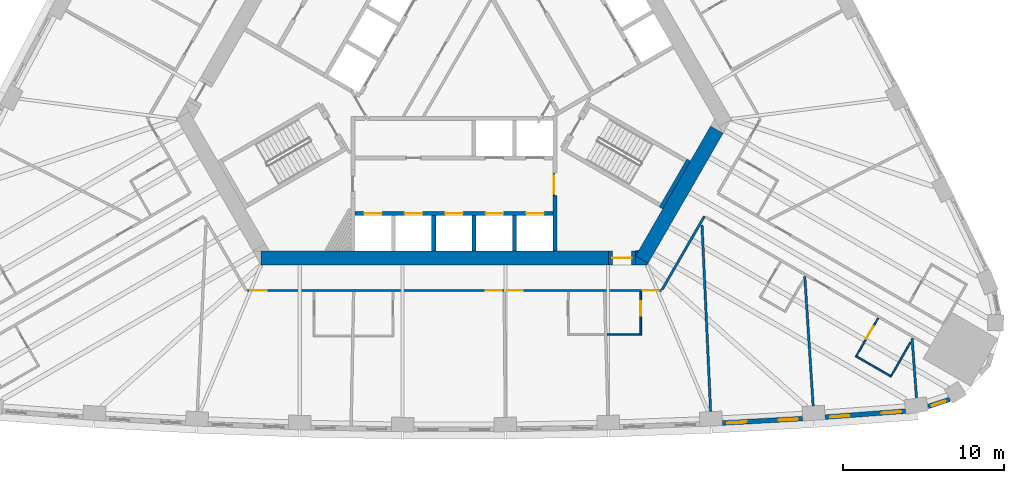
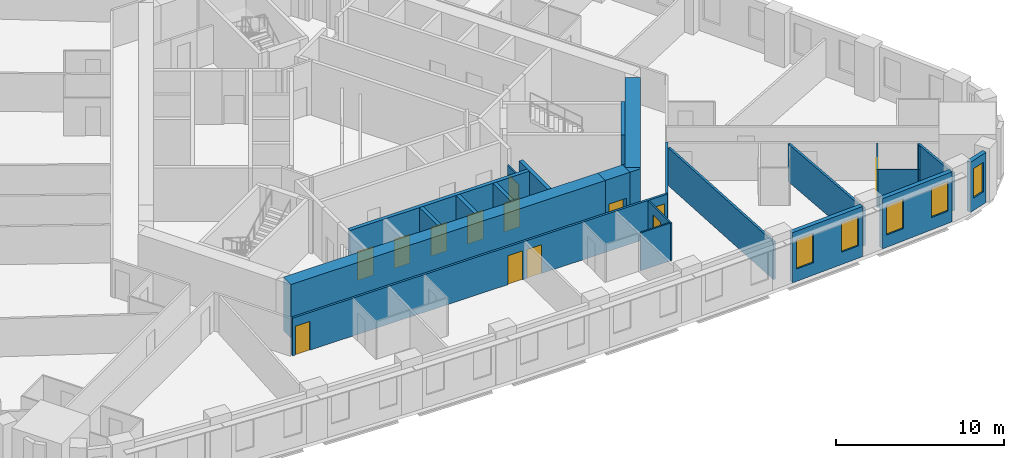
# One storey, part 6 of 12: 25 walls, 13 doors, 5 windows, 18 openings.
"""IFC4 building model written with IfcOpenShell, lengths in metres."""

from ifc_helpers import new_model, si_unit, direction, frame, frame_2d, origin, place, context, subcontext, project, spatial, polyline, rectangle, outline, extrude, material, layer, layer_set, type_object, element, fill, save


model = new_model("IFC4")

# Units and contexts
model_context = context("Model", 3, precision=1e-05, world=origin(), true_north=direction((0.0, 1.0)))
body_context = subcontext(model_context, "Body", "Model", "MODEL_VIEW")
ifc_project = project(units=[si_unit("LENGTHUNIT", "METRE"), si_unit("AREAUNIT", "SQUARE_METRE"), si_unit("VOLUMEUNIT", "CUBIC_METRE"), si_unit("PLANEANGLEUNIT", "RADIAN"), si_unit("MASSUNIT", "GRAM", prefix="KILO")], contexts=[model_context])

# Site, building, storey
site_placement = place(None, origin())
site = spatial("IfcSite", under=ifc_project, at=site_placement, CompositionType="ELEMENT")
building_placement = place(site_placement, origin())
building = spatial("IfcBuilding", under=site, at=building_placement, Name="Mestral Congress Tower", CompositionType="ELEMENT")
storey_placement = place(building_placement, frame((0.0, 0.0, 70.5)))
storey = spatial("IfcBuildingStorey", under=building, at=storey_placement, Name="L16", CompositionType="ELEMENT", Elevation=70.5)

# Wall, opening, door
ifc_material_1 = material(Name="Fire-rated board partition")
ifc_layer_1 = layer(ifc_material_1, 0.090087890625)
ifc_layer_set_1 = layer_set([ifc_layer_1], Name="Fire-rated board partition")
wall_type_1 = type_object("IfcWallType", Name="Core partition 150 door-wall 90", PredefinedType="PARTITIONING", material=ifc_layer_set_1)
wall_1_placement = place(storey_placement, frame((6.219970703125, -7.266357421875, 0.0), z_axis=(0.0, 0.0, 1.0), x_axis=(0.0, -1.0, 0.0)))
wall_1 = element("IfcWall", 1, at=wall_1_placement, inside=storey, type_object=wall_type_1, Name="L16 door wall", PredefinedType="PARTITIONING", context=body_context, shape_type="SweptSolid", body=[
    extrude(rectangle(XDim=1.400146484375, YDim=0.090087890625, at=frame_2d((0.7001953125, 0.0))), origin(), (0.0, 0.0, 1.0), 2.75),
])
opening_1_placement = place(wall_1_placement, frame((0.10009765625, 0.0, 0.0)))
opening_1 = element("IfcOpeningElement", 2, at=opening_1_placement, cuts=wall_1, Name="Opening LB0-WL1", PredefinedType="OPENING", context=body_context, shape_type="SweptSolid", body=[
    extrude(rectangle(XDim=1.199951171875, YDim=2.10009765625, at=frame_2d((0.60009765625, 1.050048828125))), frame((0.0, 0.054931640625, 0.0), z_axis=(0.0, -1.0, 0.0), x_axis=(1.0, 0.0, 0.0)), (0.0, 0.0, 1.0), 0.110107421875),
])
ifc_material_2 = material(Name="Fire-rated steel door set", Category="steel")
door_type_1 = type_object("IfcDoorType", Name="Core door LB 1200x2100", OperationType="SINGLE_SWING_LEFT", PredefinedType="DOOR", material=ifc_material_2)
door_1_placement = place(opening_1_placement, origin())
door_1 = element("IfcDoor", 3, at=door_1_placement, inside=storey, type_object=door_type_1, Name="Door LB0-WL1", OperationType="SINGLE_SWING_LEFT", OverallHeight=2.10009765625, OverallWidth=1.199951171875, PredefinedType="DOOR", context=body_context, shape_type="SweptSolid", body=[
    extrude(rectangle(XDim=1.199951171875, YDim=2.10009765625, at=frame_2d((0.60009765625, 1.050048828125))), frame((0.0, 0.02490234375, 0.0), z_axis=(0.0, -1.0, 0.0), x_axis=(1.0, 0.0, 0.0)), (0.0, 0.0, 1.0), 0.050048828125),
])
fill(opening_1, door_1)

# Walls
ifc_material_3 = material(Name="Concrete C60/75", Category="concrete")
ifc_layer_2 = layer(ifc_material_3, 0.89990234375)
ifc_layer_set_2 = layer_set([ifc_layer_2], Name="Concrete C60/75")
wall_type_2 = type_object("IfcWallType", Name="Core wall RC 900", PredefinedType="SOLIDWALL", material=ifc_layer_set_2)
wall_2_placement = place(storey_placement, frame((11.69482421875, -12.643798828125, 0.0), z_axis=(0.0, 0.0, 1.0), x_axis=(0.500010229568, 0.86601949766, 0.0)))
element("IfcWall", 4, at=wall_2_placement, inside=storey, type_object=wall_type_2, Name="L16 core wall", PredefinedType="SOLIDWALL", context=body_context, shape_type="SweptSolid", body=[
    extrude(rectangle(XDim=9.326416015625, YDim=0.89990234375, at=frame_2d((4.6630859375, 0.0))), origin(), (0.0, 0.0, 1.0), 3.89990234375),
])
placement = place(storey_placement, origin())
element("IfcWall", 5, at=placement, inside=storey, type_object=wall_type_2, Name="L16 core wall", PredefinedType="SOLIDWALL", context=body_context, shape_type="SweptSolid", body=[
    extrude(outline(polyline([(12.0087890625, -13.0), (11.31201171875, -13.0), (11.31201171875, -12.425048828125), (12.08349609375, -12.87060546875), (12.0087890625, -13.0)])), origin(), (0.0, 0.0, 1.0), 3.89990234375),
])
element("IfcWall", 6, at=placement, inside=storey, type_object=wall_type_2, Name="L16 core wall", PredefinedType="SOLIDWALL", context=body_context, shape_type="SweptSolid", body=[
    extrude(outline(polyline([(11.4892578125, -12.10009765625), (11.31201171875, -12.4072265625), (11.31201171875, -12.10009765625), (11.4892578125, -12.10009765625)])), origin(), (0.0, 0.0, 1.0), 3.89990234375),
])
wall_5_placement = place(storey_placement, frame((-12.0185546875, -12.550048828125, 0.0), z_axis=(0.0, 0.0, 1.0), x_axis=(1.0, 0.0, 0.0)))
element("IfcWall", 7, at=wall_5_placement, inside=storey, type_object=wall_type_2, Name="L16 core wall", PredefinedType="SOLIDWALL", context=body_context, shape_type="SweptSolid", body=[
    extrude(rectangle(XDim=21.63037109375, YDim=0.89990234375, at=frame_2d((10.815185546875, 0.0))), origin(), (0.0, 0.0, 1.0), 3.89990234375),
])

# Wall, opening, door
wall_6_placement = place(storey_placement, frame((11.311767578125, -12.550048828125, 0.0), z_axis=(0.0, 0.0, 1.0), x_axis=(-1.0, 0.0, 0.0)))
wall_6 = element("IfcWall", 8, at=wall_6_placement, inside=storey, type_object=wall_type_2, Name="L16 door wall", PredefinedType="SOLIDWALL", context=body_context, shape_type="SweptSolid", body=[
    extrude(rectangle(XDim=1.699951171875, YDim=0.89990234375, at=frame_2d((0.85009765625, 0.0))), origin(), (0.0, 0.0, 1.0), 3.89990234375),
])
opening_2_placement = place(wall_6_placement, frame((0.25, 0.0, 0.0)))
opening_2 = element("IfcOpeningElement", 9, at=opening_2_placement, cuts=wall_6, Name="Opening XD1", PredefinedType="OPENING", context=body_context, shape_type="SweptSolid", body=[
    extrude(rectangle(XDim=1.199951171875, YDim=2.10009765625, at=frame_2d((0.60009765625, 1.050048828125))), frame((0.0, 0.4599609375, 0.0), z_axis=(0.0, -1.0, 0.0), x_axis=(1.0, 0.0, 0.0)), (0.0, 0.0, 1.0), 0.919921875),
])
door_type_2 = type_object("IfcDoorType", Name="Core door XD 1200x2100", OperationType="SINGLE_SWING_LEFT", PredefinedType="DOOR", material=ifc_material_2)
door_2_placement = place(opening_2_placement, origin())
door_2 = element("IfcDoor", 10, at=door_2_placement, inside=storey, type_object=door_type_2, Name="Door XD1", OperationType="SINGLE_SWING_LEFT", OverallHeight=2.10009765625, OverallWidth=1.199951171875, PredefinedType="DOOR", context=body_context, shape_type="SweptSolid", body=[
    extrude(rectangle(XDim=1.199951171875, YDim=2.10009765625, at=frame_2d((0.60009765625, 1.050048828125))), frame((0.0, 0.02490234375, 0.0), z_axis=(0.0, -1.0, 0.0), x_axis=(1.0, 0.0, 0.0)), (0.0, 0.0, 1.0), 0.050048828125),
])
fill(opening_2, door_2)

# Wall, openings, windows
ifc_material_4 = material(Name="Precast concrete C40/50 with limestone facing", Category="masonry")
ifc_layer_3 = layer(ifc_material_4, 0.2900390625)
ifc_layer_set_3 = layer_set([ifc_layer_3], Name="Precast concrete C40/50 with limestone facing")
wall_type_3 = type_object("IfcWallType", Name="Facade stone wall 290", PredefinedType="SOLIDWALL", material=ifc_layer_set_3)
wall_7_placement = place(storey_placement, frame((16.7109375, -22.823974609375, 0.0), z_axis=(0.0, 0.0, 1.0), x_axis=(0.998464708705, 0.055391564976, 0.0)))
wall_7 = element("IfcWall", 11, at=wall_7_placement, inside=storey, type_object=wall_type_3, Name="Facade wall F0-07", PredefinedType="SOLIDWALL", context=body_context, shape_type="SweptSolid", body=[
    extrude(rectangle(XDim=4.998046875, YDim=0.2900390625, at=frame_2d((2.4990234375, 0.0))), origin(), (0.0, 0.0, 1.0), 3.64990234375),
])
opening_3_placement = place(wall_7_placement, frame((0.297119140625, 0.0, 0.89990234375)))
opening_3 = element("IfcOpeningElement", 12, at=opening_3_placement, cuts=wall_7, Name="Opening W1", PredefinedType="OPENING", context=body_context, shape_type="SweptSolid", body=[
    extrude(rectangle(XDim=1.199951171875, YDim=2.14990234375, at=frame_2d((0.60009765625, 1.074951171875))), frame((0.0, 0.155029296875, 0.0), z_axis=(0.0, -1.0, 0.0), x_axis=(1.0, 0.0, 0.0)), (0.0, 0.0, 1.0), 0.31005859375),
])
opening_4_placement = place(wall_7_placement, frame((3.501220703125, 0.0, 0.89990234375)))
opening_4 = element("IfcOpeningElement", 13, at=opening_4_placement, cuts=wall_7, Name="Opening W1", PredefinedType="OPENING", context=body_context, shape_type="SweptSolid", body=[
    extrude(rectangle(XDim=1.199951171875, YDim=2.14990234375, at=frame_2d((0.60009765625, 1.074951171875))), frame((0.0, 0.155029296875, 0.0), z_axis=(0.0, -1.0, 0.0), x_axis=(1.0, 0.0, 0.0)), (0.0, 0.0, 1.0), 0.31005859375),
])
ifc_material_5 = material(Name="Clear low-emissivity double glazing", Category="glass")
window_type_1 = type_object("IfcWindowType", Name="Facade punched window 1200 x 2150 sill 900", PartitioningType="DOUBLE_PANEL_VERTICAL", PredefinedType="WINDOW", material=ifc_material_5)
window_1_placement = place(opening_3_placement, origin())
window_1 = element("IfcWindow", 14, at=window_1_placement, inside=storey, type_object=window_type_1, Name="Window F0-07a", OverallHeight=2.14990234375, OverallWidth=1.199951171875, PartitioningType="DOUBLE_PANEL_VERTICAL", PredefinedType="WINDOW", context=body_context, shape_type="SweptSolid", body=[
    extrude(rectangle(XDim=1.199951171875, YDim=2.14990234375, at=frame_2d((0.60009765625, 1.074951171875))), frame((0.0, 0.01513671875, 0.0), z_axis=(0.0, -1.0, 0.0), x_axis=(1.0, 0.0, 0.0)), (0.0, 0.0, 1.0), 0.06005859375),
])
fill(opening_3, window_1)
window_2_placement = place(opening_4_placement, origin())
window_2 = element("IfcWindow", 15, at=window_2_placement, inside=storey, type_object=window_type_1, Name="Window F0-07b", OverallHeight=2.14990234375, OverallWidth=1.199951171875, PartitioningType="DOUBLE_PANEL_VERTICAL", PredefinedType="WINDOW", context=body_context, shape_type="SweptSolid", body=[
    extrude(rectangle(XDim=1.199951171875, YDim=2.14990234375, at=frame_2d((0.60009765625, 1.074951171875))), frame((0.0, 0.01513671875, 0.0), z_axis=(0.0, -1.0, 0.0), x_axis=(1.0, 0.0, 0.0)), (0.0, 0.0, 1.0), 0.06005859375),
])
fill(opening_4, window_2)

wall_8_placement = place(storey_placement, frame((23.10595703125, -22.4560546875, 0.0), z_axis=(0.0, 0.0, 1.0), x_axis=(0.997266290399, 0.073891447643, 0.0)))
wall_8 = element("IfcWall", 16, at=wall_8_placement, inside=storey, type_object=wall_type_3, Name="Facade wall F0-08", PredefinedType="SOLIDWALL", context=body_context, shape_type="SweptSolid", body=[
    extrude(rectangle(XDim=5.005615234375, YDim=0.2900390625, at=frame_2d((2.5029296875, 0.0))), origin(), (0.0, 0.0, 1.0), 3.64990234375),
])
opening_5_placement = place(wall_8_placement, frame((0.31005859375, 0.0, 0.89990234375)))
opening_5 = element("IfcOpeningElement", 17, at=opening_5_placement, cuts=wall_8, Name="Opening W1", PredefinedType="OPENING", context=body_context, shape_type="SweptSolid", body=[
    extrude(rectangle(XDim=1.199951171875, YDim=2.14990234375, at=frame_2d((0.60009765625, 1.074951171875))), frame((0.0, 0.155029296875, 0.0), z_axis=(0.0, -1.0, 0.0), x_axis=(1.0, 0.0, 0.0)), (0.0, 0.0, 1.0), 0.31005859375),
])
opening_6_placement = place(wall_8_placement, frame((3.540283203125, 0.0, 0.89990234375)))
opening_6 = element("IfcOpeningElement", 18, at=opening_6_placement, cuts=wall_8, Name="Opening W1", PredefinedType="OPENING", context=body_context, shape_type="SweptSolid", body=[
    extrude(rectangle(XDim=1.199951171875, YDim=2.14990234375, at=frame_2d((0.60009765625, 1.074951171875))), frame((0.0, 0.155029296875, 0.0), z_axis=(0.0, -1.0, 0.0), x_axis=(1.0, 0.0, 0.0)), (0.0, 0.0, 1.0), 0.31005859375),
])
window_3_placement = place(opening_5_placement, origin())
window_3 = element("IfcWindow", 19, at=window_3_placement, inside=storey, type_object=window_type_1, Name="Window F0-08a", OverallHeight=2.14990234375, OverallWidth=1.199951171875, PartitioningType="DOUBLE_PANEL_VERTICAL", PredefinedType="WINDOW", context=body_context, shape_type="SweptSolid", body=[
    extrude(rectangle(XDim=1.199951171875, YDim=2.14990234375, at=frame_2d((0.60009765625, 1.074951171875))), frame((0.0, 0.01513671875, 0.0), z_axis=(0.0, -1.0, 0.0), x_axis=(1.0, 0.0, 0.0)), (0.0, 0.0, 1.0), 0.06005859375),
])
fill(opening_5, window_3)
window_4_placement = place(opening_6_placement, origin())
window_4 = element("IfcWindow", 20, at=window_4_placement, inside=storey, type_object=window_type_1, Name="Window F0-08b", OverallHeight=2.14990234375, OverallWidth=1.199951171875, PartitioningType="DOUBLE_PANEL_VERTICAL", PredefinedType="WINDOW", context=body_context, shape_type="SweptSolid", body=[
    extrude(rectangle(XDim=1.199951171875, YDim=2.14990234375, at=frame_2d((0.60009765625, 1.074951171875))), frame((0.0, 0.01513671875, 0.0), z_axis=(0.0, -1.0, 0.0), x_axis=(1.0, 0.0, 0.0)), (0.0, 0.0, 1.0), 0.06005859375),
])
fill(opening_6, window_4)

# Wall, opening, window
wall_9_placement = place(storey_placement, frame((29.51171875, -21.80224609375, 0.0), z_axis=(0.0, 0.0, 1.0), x_axis=(0.947903891592, 0.318556450734, 0.0)))
wall_9 = element("IfcWall", 21, at=wall_9_placement, inside=storey, type_object=wall_type_3, Name="Facade wall K0-0", PredefinedType="SOLIDWALL", context=body_context, shape_type="SweptSolid", body=[
    extrude(rectangle(XDim=1.414794921875, YDim=0.2900390625, at=frame_2d((0.70751953125, 0.0))), origin(), (0.0, 0.0, 1.0), 3.64990234375),
])
opening_7_placement = place(wall_9_placement, frame((0.25732421875, 0.0, 0.89990234375)))
opening_7 = element("IfcOpeningElement", 22, at=opening_7_placement, cuts=wall_9, Name="Opening W3", PredefinedType="OPENING", context=body_context, shape_type="SweptSolid", body=[
    extrude(rectangle(XDim=0.89990234375, YDim=2.14990234375, at=frame_2d((0.449951171875, 1.074951171875))), frame((0.0, 0.155029296875, 0.0), z_axis=(0.0, -1.0, 0.0), x_axis=(1.0, 0.0, 0.0)), (0.0, 0.0, 1.0), 0.31005859375),
])
window_type_2 = type_object("IfcWindowType", Name="Facade punched window 900 x 2150 sill 900", PartitioningType="SINGLE_PANEL", PredefinedType="WINDOW", material=ifc_material_5)
window_5_placement = place(opening_7_placement, origin())
window_5 = element("IfcWindow", 23, at=window_5_placement, inside=storey, type_object=window_type_2, Name="Window K0-0", OverallHeight=2.14990234375, OverallWidth=0.89990234375, PartitioningType="SINGLE_PANEL", PredefinedType="WINDOW", context=body_context, shape_type="SweptSolid", body=[
    extrude(rectangle(XDim=0.89990234375, YDim=2.14990234375, at=frame_2d((0.449951171875, 1.074951171875))), frame((0.0, 0.01513671875, 0.0), z_axis=(0.0, -1.0, 0.0), x_axis=(1.0, 0.0, 0.0)), (0.0, 0.0, 1.0), 0.06005859375),
])
fill(opening_7, window_5)

# Wall, opening, door
ifc_material_6 = material(Name="Gypsum board partition on metal studs with mineral wool", Category="composite")
ifc_layer_4 = layer(ifc_material_6, 0.10009765625)
ifc_layer_set_4 = layer_set([ifc_layer_4], Name="Gypsum board partition on metal studs with mineral wool")
wall_type_4 = type_object("IfcWallType", Name="Hotel partition wall 100", PredefinedType="PARTITIONING", material=ifc_layer_set_4)
wall_10_placement = place(storey_placement, frame((11.626708984375, -17.35009765625, 0.0), z_axis=(0.0, 0.0, 1.0), x_axis=(0.0, 1.0, 0.0)))
wall_10 = element("IfcWall", 24, at=wall_10_placement, inside=storey, type_object=wall_type_4, Name="L16-h-pod05a", PredefinedType="PARTITIONING", context=body_context, shape_type="SweptSolid", body=[
    extrude(rectangle(XDim=2.7001953125, YDim=0.10009765625, at=frame_2d((1.35009765625, 0.0))), origin(), (0.0, 0.0, 1.0), 2.75),
])
opening_8_placement = place(wall_10_placement, frame((1.199951171875, 0.0, 0.0)))
opening_8 = element("IfcOpeningElement", 25, at=opening_8_placement, cuts=wall_10, Name="Opening H04-010", PredefinedType="OPENING", context=body_context, shape_type="SweptSolid", body=[
    extrude(rectangle(XDim=0.89990234375, YDim=2.10009765625, at=frame_2d((0.449951171875, 1.050048828125))), frame((0.0, 0.06005859375, 0.0), z_axis=(0.0, -1.0, 0.0), x_axis=(1.0, 0.0, 0.0)), (0.0, 0.0, 1.0), 0.1201171875),
])
ifc_material_7 = material(Name="Timber veneer door leaf in timber frame", Category="wood")
door_type_3 = type_object("IfcDoorType", Name="Bathroom door 900", OperationType="SINGLE_SWING_LEFT", PredefinedType="DOOR", material=ifc_material_7)
door_3_placement = place(opening_8_placement, origin())
door_3 = element("IfcDoor", 26, at=door_3_placement, inside=storey, type_object=door_type_3, Name="L16-h-d010", OperationType="SINGLE_SWING_LEFT", OverallHeight=2.10009765625, OverallWidth=0.89990234375, PredefinedType="DOOR", context=body_context, shape_type="SweptSolid", body=[
    extrude(rectangle(XDim=0.89990234375, YDim=2.10009765625, at=frame_2d((0.449951171875, 1.050048828125))), frame((0.0, 0.02490234375, 0.0), z_axis=(0.0, -1.0, 0.0), x_axis=(1.0, 0.0, 0.0)), (0.0, 0.0, 1.0), 0.050048828125),
])
fill(opening_8, door_3)

# Wall
wall_11_placement = place(storey_placement, frame((11.57666015625, -17.300048828125, 0.0), z_axis=(0.0, 0.0, 1.0), x_axis=(-1.0, 0.0, 0.0)))
element("IfcWall", 27, at=wall_11_placement, inside=storey, type_object=wall_type_4, Name="L16-h-pod05b", PredefinedType="PARTITIONING", context=body_context, shape_type="SweptSolid", body=[
    extrude(rectangle(XDim=2.050048828125, YDim=0.10009765625, at=frame_2d((1.02490234375, 0.0))), origin(), (0.0, 0.0, 1.0), 2.75),
])

# Wall, opening, door
wall_12_placement = place(storey_placement, frame((26.40478515625, -16.2841796875, 0.0), z_axis=(0.0, 0.0, 1.0), x_axis=(-0.49998411664, -0.866034573852, 0.0)))
wall_12 = element("IfcWall", 28, at=wall_12_placement, inside=storey, type_object=wall_type_4, Name="L16-h-pod07a", PredefinedType="PARTITIONING", context=body_context, shape_type="SweptSolid", body=[
    extrude(rectangle(XDim=2.7998046875, YDim=0.10009765625, at=frame_2d((1.39990234375, 0.0))), origin(), (0.0, 0.0, 1.0), 2.75),
])
opening_9_placement = place(wall_12_placement, frame((0.60009765625, 0.0, 0.0)))
opening_9 = element("IfcOpeningElement", 29, at=opening_9_placement, cuts=wall_12, Name="Opening H04-014", PredefinedType="OPENING", context=body_context, shape_type="SweptSolid", body=[
    extrude(rectangle(XDim=0.89990234375, YDim=2.10009765625, at=frame_2d((0.449951171875, 1.050048828125))), frame((0.0, 0.06005859375, 0.0), z_axis=(0.0, -1.0, 0.0), x_axis=(1.0, 0.0, 0.0)), (0.0, 0.0, 1.0), 0.1201171875),
])
door_4_placement = place(opening_9_placement, origin())
door_4 = element("IfcDoor", 30, at=door_4_placement, inside=storey, type_object=door_type_3, Name="L16-h-d014", OperationType="SINGLE_SWING_LEFT", OverallHeight=2.10009765625, OverallWidth=0.89990234375, PredefinedType="DOOR", context=body_context, shape_type="SweptSolid", body=[
    extrude(rectangle(XDim=0.89990234375, YDim=2.10009765625, at=frame_2d((0.449951171875, 1.050048828125))), frame((0.0, 0.02490234375, 0.0), z_axis=(0.0, -1.0, 0.0), x_axis=(1.0, 0.0, 0.0)), (0.0, 0.0, 1.0), 0.050048828125),
])
fill(opening_9, door_4)

# Walls
wall_13_placement = place(storey_placement, frame((25.0732421875, -18.690673828125, 0.0), z_axis=(0.0, 0.0, 1.0), x_axis=(0.866024647952, -0.500001309137, 0.0)))
element("IfcWall", 31, at=wall_13_placement, inside=storey, type_object=wall_type_4, Name="L16-h-pod07b", PredefinedType="PARTITIONING", context=body_context, shape_type="SweptSolid", body=[
    extrude(rectangle(XDim=2.39990234375, YDim=0.10009765625, at=frame_2d((1.199951171875, 0.0))), origin(), (0.0, 0.0, 1.0), 2.75),
])
wall_14_placement = place(storey_placement, frame((28.414794921875, -17.802490234375, 0.0), z_axis=(0.0, 0.0, 1.0), x_axis=(-0.499945955465, -0.866056604163, 0.0)))
element("IfcWall", 32, at=wall_14_placement, inside=storey, type_object=wall_type_4, Name="L16-h-pod07c", PredefinedType="PARTITIONING", context=body_context, shape_type="SweptSolid", body=[
    extrude(rectangle(XDim=2.489990234375, YDim=0.10009765625, at=frame_2d((1.2451171875, 0.0))), origin(), (0.0, 0.0, 1.0), 2.75),
])

# Wall, openings, doors
ifc_layer_5 = layer(ifc_material_6, 0.14990234375)
ifc_layer_set_5 = layer_set([ifc_layer_5], Name="Gypsum board partition on metal studs with mineral wool")
wall_type_5 = type_object("IfcWallType", Name="Hotel partition wall 150", PredefinedType="PARTITIONING", material=ifc_layer_set_5)
wall_15_placement = place(storey_placement, frame((12.918212890625, -14.574951171875, 0.0), z_axis=(0.0, 0.0, 1.0), x_axis=(-1.0, 0.0, 0.0)))
wall_15 = element("IfcWall", 33, at=wall_15_placement, inside=storey, type_object=wall_type_5, Name="L16-h-cw13", PredefinedType="PARTITIONING", context=body_context, shape_type="SweptSolid", body=[
    extrude(rectangle(XDim=25.766357421875, YDim=0.14990234375, at=frame_2d((12.88330078125, 0.0))), origin(), (0.0, 0.0, 1.0), 2.75),
])
opening_10_placement = place(wall_15_placement, frame((24.58642578125, 0.0, 0.0)))
opening_10 = element("IfcOpeningElement", 34, at=opening_10_placement, cuts=wall_15, Name="Opening H04-003", PredefinedType="OPENING", context=body_context, shape_type="SweptSolid", body=[
    extrude(rectangle(XDim=1.0, YDim=2.10009765625, at=frame_2d((0.5, 1.050048828125))), frame((0.0, 0.0849609375, 0.0), z_axis=(0.0, -1.0, 0.0), x_axis=(1.0, 0.0, 0.0)), (0.0, 0.0, 1.0), 0.169921875),
])
opening_11_placement = place(wall_15_placement, frame((9.947998046875, 0.0, 0.0)))
opening_11 = element("IfcOpeningElement", 35, at=opening_11_placement, cuts=wall_15, Name="Opening H04-005", PredefinedType="OPENING", context=body_context, shape_type="SweptSolid", body=[
    extrude(rectangle(XDim=1.0, YDim=2.10009765625, at=frame_2d((0.5, 1.050048828125))), frame((0.0, 0.0849609375, 0.0), z_axis=(0.0, -1.0, 0.0), x_axis=(1.0, 0.0, 0.0)), (0.0, 0.0, 1.0), 0.169921875),
])
opening_12_placement = place(wall_15_placement, frame((8.6416015625, 0.0, 0.0)))
opening_12 = element("IfcOpeningElement", 36, at=opening_12_placement, cuts=wall_15, Name="Opening H04-007", PredefinedType="OPENING", context=body_context, shape_type="SweptSolid", body=[
    extrude(rectangle(XDim=1.0, YDim=2.10009765625, at=frame_2d((0.5, 1.050048828125))), frame((0.0, 0.0849609375, 0.0), z_axis=(0.0, -1.0, 0.0), x_axis=(1.0, 0.0, 0.0)), (0.0, 0.0, 1.0), 0.169921875),
])
opening_13_placement = place(wall_15_placement, frame((0.179931640625, 0.0, 0.0)))
opening_13 = element("IfcOpeningElement", 37, at=opening_13_placement, cuts=wall_15, Name="Opening H04-009", PredefinedType="OPENING", context=body_context, shape_type="SweptSolid", body=[
    extrude(rectangle(XDim=1.0, YDim=2.10009765625, at=frame_2d((0.5, 1.050048828125))), frame((0.0, 0.0849609375, 0.0), z_axis=(0.0, -1.0, 0.0), x_axis=(1.0, 0.0, 0.0)), (0.0, 0.0, 1.0), 0.169921875),
])
ifc_material_8 = material(Name="Timber veneer door leaf in metal frame", Category="wood")
door_type_4 = type_object("IfcDoorType", Name="Guest room entrance door 1000", OperationType="SINGLE_SWING_LEFT", PredefinedType="DOOR", material=ifc_material_8)
door_5_placement = place(opening_10_placement, origin())
door_5 = element("IfcDoor", 38, at=door_5_placement, inside=storey, type_object=door_type_4, Name="L16-h-d003", OperationType="SINGLE_SWING_RIGHT", OverallHeight=2.10009765625, OverallWidth=1.0, PredefinedType="DOOR", context=body_context, shape_type="SweptSolid", body=[
    extrude(rectangle(XDim=1.0, YDim=2.10009765625, at=frame_2d((0.5, 1.050048828125))), frame((0.0, 0.02490234375, 0.0), z_axis=(0.0, -1.0, 0.0), x_axis=(1.0, 0.0, 0.0)), (0.0, 0.0, 1.0), 0.050048828125),
])
fill(opening_10, door_5)
door_6_placement = place(opening_11_placement, origin())
door_6 = element("IfcDoor", 39, at=door_6_placement, inside=storey, type_object=door_type_4, Name="L16-h-d005", OperationType="SINGLE_SWING_LEFT", OverallHeight=2.10009765625, OverallWidth=1.0, PredefinedType="DOOR", context=body_context, shape_type="SweptSolid", body=[
    extrude(rectangle(XDim=1.0, YDim=2.10009765625, at=frame_2d((0.5, 1.050048828125))), frame((0.0, 0.02490234375, 0.0), z_axis=(0.0, -1.0, 0.0), x_axis=(1.0, 0.0, 0.0)), (0.0, 0.0, 1.0), 0.050048828125),
])
fill(opening_11, door_6)
door_7_placement = place(opening_12_placement, origin())
door_7 = element("IfcDoor", 40, at=door_7_placement, inside=storey, type_object=door_type_4, Name="L16-h-d007", OperationType="SINGLE_SWING_RIGHT", OverallHeight=2.10009765625, OverallWidth=1.0, PredefinedType="DOOR", context=body_context, shape_type="SweptSolid", body=[
    extrude(rectangle(XDim=1.0, YDim=2.10009765625, at=frame_2d((0.5, 1.050048828125))), frame((0.0, 0.02490234375, 0.0), z_axis=(0.0, -1.0, 0.0), x_axis=(1.0, 0.0, 0.0)), (0.0, 0.0, 1.0), 0.050048828125),
])
fill(opening_12, door_7)
door_8_placement = place(opening_13_placement, origin())
door_8 = element("IfcDoor", 41, at=door_8_placement, inside=storey, type_object=door_type_4, Name="L16-h-d009", OperationType="SINGLE_SWING_LEFT", OverallHeight=2.10009765625, OverallWidth=1.0, PredefinedType="DOOR", context=body_context, shape_type="SweptSolid", body=[
    extrude(rectangle(XDim=1.0, YDim=2.10009765625, at=frame_2d((0.5, 1.050048828125))), frame((0.0, 0.02490234375, 0.0), z_axis=(0.0, -1.0, 0.0), x_axis=(1.0, 0.0, 0.0)), (0.0, 0.0, 1.0), 0.050048828125),
])
fill(opening_13, door_8)

# Walls
wall_16_placement = place(storey_placement, frame((15.58740234375, -9.951904296875, 0.0), z_axis=(0.0, 0.0, 1.0), x_axis=(-0.500016618951, -0.866015808616, 0.0)))
element("IfcWall", 42, at=wall_16_placement, inside=storey, type_object=wall_type_5, Name="L16-h-cw14", PredefinedType="PARTITIONING", context=body_context, shape_type="SweptSolid", body=[
    extrude(rectangle(XDim=5.268310546875, YDim=0.14990234375, at=frame_2d((2.63427734375, 0.0))), origin(), (0.0, 0.0, 1.0), 2.75),
])
wall_17_placement = place(storey_placement, frame((15.973388671875, -22.10888671875, 0.0), z_axis=(0.0, 0.0, 1.0), x_axis=(-0.046191717129, 0.998932592955, 0.0)))
element("IfcWall", 43, at=wall_17_placement, inside=storey, type_object=wall_type_5, Name="L16-h-pw20", PredefinedType="PARTITIONING", context=body_context, shape_type="SweptSolid", body=[
    extrude(rectangle(XDim=11.638427734375, YDim=0.14990234375, at=frame_2d((5.8193359375, 0.0))), origin(), (0.0, 0.0, 1.0), 2.75),
])
wall_18_placement = place(storey_placement, frame((22.355224609375, -21.75439453125, 0.0), z_axis=(0.0, 0.0, 1.0), x_axis=(-0.064639533143, 0.997908678565, 0.0)))
element("IfcWall", 44, at=wall_18_placement, inside=storey, type_object=wall_type_5, Name="L16-h-pw23", PredefinedType="PARTITIONING", context=body_context, shape_type="SweptSolid", body=[
    extrude(rectangle(XDim=8.078857421875, YDim=0.14990234375, at=frame_2d((4.03955078125, 0.0))), origin(), (0.0, 0.0, 1.0), 2.75),
])
wall_19_placement = place(storey_placement, frame((28.78955078125, -21.272705078125, 0.0), z_axis=(0.0, 0.0, 1.0), x_axis=(-0.07382592098, 0.997271143366, 0.0)))
element("IfcWall", 45, at=wall_19_placement, inside=storey, type_object=wall_type_5, Name="L16-h-pw24", PredefinedType="PARTITIONING", context=body_context, shape_type="SweptSolid", body=[
    extrude(rectangle(XDim=3.733642578125, YDim=0.14990234375, at=frame_2d((1.86669921875, 0.0))), origin(), (0.0, 0.0, 1.0), 2.75),
])
ifc_layer_6 = layer(ifc_material_3, 0.25)
ifc_layer_set_6 = layer_set([ifc_layer_6], Name="Concrete C60/75")
wall_type_6 = type_object("IfcWallType", Name="Shaft wall RC 250", PredefinedType="SOLIDWALL", material=ifc_layer_set_6)
wall_20_placement = place(storey_placement, frame((6.300048828125, -12.10009765625, 0.0), z_axis=(0.0, 0.0, 1.0), x_axis=(0.0, 1.0, 0.0)))
element("IfcWall", 46, at=wall_20_placement, inside=storey, type_object=wall_type_6, Name="L16 core wall", PredefinedType="SOLIDWALL", context=body_context, shape_type="SweptSolid", body=[
    extrude(rectangle(XDim=3.427978515625, YDim=0.25, at=frame_2d((1.7138671875, 0.0))), origin(), (0.0, 0.0, 1.0), 3.89990234375),
])
for number, where, z_axis, x_axis, name in (
    (47, (3.780029296875, -12.10009765625, 0.0), (0.0, 0.0, 1.0), (0.0, 1.0, 0.0), "L16 core wall"),
    (48, (1.260009765625, -12.10009765625, 0.0), (0.0, 0.0, 1.0), (0.0, 1.0, 0.0), "L16 core wall"),
    (49, (-1.260009765625, -12.10009765625, 0.0), (0.0, 0.0, 1.0), (0.0, 1.0, 0.0), "L16 core wall"),
):
    element("IfcWall", number, at=place(storey_placement, frame(where, z_axis=z_axis, x_axis=x_axis)), inside=storey, type_object=wall_type_6, Name=name, PredefinedType="SOLIDWALL", context=body_context, shape_type="SweptSolid", body=[
        extrude(rectangle(XDim=2.199951171875, YDim=0.25, at=frame_2d((1.10009765625, 0.0))), origin(), (0.0, 0.0, 1.0), 3.89990234375),
    ])

# Wall, openings, doors
wall_21_placement = place(storey_placement, frame((-6.175048828125, -9.77490234375, 0.0), z_axis=(0.0, 0.0, 1.0), x_axis=(1.0, 0.0, 0.0)))
wall_21 = element("IfcWall", 50, at=wall_21_placement, inside=storey, type_object=wall_type_6, Name="L16 door wall", PredefinedType="SOLIDWALL", context=body_context, shape_type="SweptSolid", body=[
    extrude(rectangle(XDim=12.35009765625, YDim=0.25, at=frame_2d((6.175048828125, 0.0))), origin(), (0.0, 0.0, 1.0), 3.89990234375),
])
opening_14_placement = place(wall_21_placement, frame((0.5849609375, 0.0, 0.0)))
opening_14 = element("IfcOpeningElement", 51, at=opening_14_placement, cuts=wall_21, Name="Opening LD-SOA1", PredefinedType="OPENING", context=body_context, shape_type="SweptSolid", body=[
    extrude(rectangle(XDim=1.10009765625, YDim=2.10009765625, at=frame_2d((0.550048828125, 1.050048828125))), frame((0.0, 0.135009765625, 0.0), z_axis=(0.0, -1.0, 0.0), x_axis=(1.0, 0.0, 0.0)), (0.0, 0.0, 1.0), 0.27001953125),
])
opening_15_placement = place(wall_21_placement, frame((3.10498046875, 0.0, 0.0)))
opening_15 = element("IfcOpeningElement", 52, at=opening_15_placement, cuts=wall_21, Name="Opening LD-SOA2", PredefinedType="OPENING", context=body_context, shape_type="SweptSolid", body=[
    extrude(rectangle(XDim=1.10009765625, YDim=2.10009765625, at=frame_2d((0.550048828125, 1.050048828125))), frame((0.0, 0.135009765625, 0.0), z_axis=(0.0, -1.0, 0.0), x_axis=(1.0, 0.0, 0.0)), (0.0, 0.0, 1.0), 0.27001953125),
])
opening_16_placement = place(wall_21_placement, frame((5.625, 0.0, 0.0)))
opening_16 = element("IfcOpeningElement", 53, at=opening_16_placement, cuts=wall_21, Name="Opening LD-SOA3", PredefinedType="OPENING", context=body_context, shape_type="SweptSolid", body=[
    extrude(rectangle(XDim=1.10009765625, YDim=2.10009765625, at=frame_2d((0.550048828125, 1.050048828125))), frame((0.0, 0.135009765625, 0.0), z_axis=(0.0, -1.0, 0.0), x_axis=(1.0, 0.0, 0.0)), (0.0, 0.0, 1.0), 0.27001953125),
])
opening_17_placement = place(wall_21_placement, frame((8.14501953125, 0.0, 0.0)))
opening_17 = element("IfcOpeningElement", 54, at=opening_17_placement, cuts=wall_21, Name="Opening LD-SOA4", PredefinedType="OPENING", context=body_context, shape_type="SweptSolid", body=[
    extrude(rectangle(XDim=1.10009765625, YDim=2.10009765625, at=frame_2d((0.550048828125, 1.050048828125))), frame((0.0, 0.135009765625, 0.0), z_axis=(0.0, -1.0, 0.0), x_axis=(1.0, 0.0, 0.0)), (0.0, 0.0, 1.0), 0.27001953125),
])
opening_18_placement = place(wall_21_placement, frame((10.6650390625, 0.0, 0.0)))
opening_18 = element("IfcOpeningElement", 55, at=opening_18_placement, cuts=wall_21, Name="Opening LD-SOA5", PredefinedType="OPENING", context=body_context, shape_type="SweptSolid", body=[
    extrude(rectangle(XDim=1.10009765625, YDim=2.10009765625, at=frame_2d((0.550048828125, 1.050048828125))), frame((0.0, 0.135009765625, 0.0), z_axis=(0.0, -1.0, 0.0), x_axis=(1.0, 0.0, 0.0)), (0.0, 0.0, 1.0), 0.27001953125),
])
door_type_5 = type_object("IfcDoorType", Name="Core door LD 1100x2100", OperationType="DOUBLE_DOOR_SLIDING", PredefinedType="DOOR", material=ifc_material_2)
door_9_placement = place(opening_14_placement, origin())
door_9 = element("IfcDoor", 56, at=door_9_placement, inside=storey, type_object=door_type_5, Name="Door LD-SOA1", OperationType="DOUBLE_DOOR_SLIDING", OverallHeight=2.10009765625, OverallWidth=1.10009765625, PredefinedType="DOOR", context=body_context, shape_type="SweptSolid", body=[
    extrude(rectangle(XDim=1.10009765625, YDim=2.10009765625, at=frame_2d((0.550048828125, 1.050048828125))), frame((0.0, 0.02490234375, 0.0), z_axis=(0.0, -1.0, 0.0), x_axis=(1.0, 0.0, 0.0)), (0.0, 0.0, 1.0), 0.050048828125),
])
fill(opening_14, door_9)
door_10_placement = place(opening_15_placement, origin())
door_10 = element("IfcDoor", 57, at=door_10_placement, inside=storey, type_object=door_type_5, Name="Door LD-SOA2", OperationType="DOUBLE_DOOR_SLIDING", OverallHeight=2.10009765625, OverallWidth=1.10009765625, PredefinedType="DOOR", context=body_context, shape_type="SweptSolid", body=[
    extrude(rectangle(XDim=1.10009765625, YDim=2.10009765625, at=frame_2d((0.550048828125, 1.050048828125))), frame((0.0, 0.02490234375, 0.0), z_axis=(0.0, -1.0, 0.0), x_axis=(1.0, 0.0, 0.0)), (0.0, 0.0, 1.0), 0.050048828125),
])
fill(opening_15, door_10)
door_11_placement = place(opening_16_placement, origin())
door_11 = element("IfcDoor", 58, at=door_11_placement, inside=storey, type_object=door_type_5, Name="Door LD-SOA3", OperationType="DOUBLE_DOOR_SLIDING", OverallHeight=2.10009765625, OverallWidth=1.10009765625, PredefinedType="DOOR", context=body_context, shape_type="SweptSolid", body=[
    extrude(rectangle(XDim=1.10009765625, YDim=2.10009765625, at=frame_2d((0.550048828125, 1.050048828125))), frame((0.0, 0.02490234375, 0.0), z_axis=(0.0, -1.0, 0.0), x_axis=(1.0, 0.0, 0.0)), (0.0, 0.0, 1.0), 0.050048828125),
])
fill(opening_16, door_11)
door_12_placement = place(opening_17_placement, origin())
door_12 = element("IfcDoor", 59, at=door_12_placement, inside=storey, type_object=door_type_5, Name="Door LD-SOA4", OperationType="DOUBLE_DOOR_SLIDING", OverallHeight=2.10009765625, OverallWidth=1.10009765625, PredefinedType="DOOR", context=body_context, shape_type="SweptSolid", body=[
    extrude(rectangle(XDim=1.10009765625, YDim=2.10009765625, at=frame_2d((0.550048828125, 1.050048828125))), frame((0.0, 0.02490234375, 0.0), z_axis=(0.0, -1.0, 0.0), x_axis=(1.0, 0.0, 0.0)), (0.0, 0.0, 1.0), 0.050048828125),
])
fill(opening_17, door_12)
door_13_placement = place(opening_18_placement, origin())
door_13 = element("IfcDoor", 60, at=door_13_placement, inside=storey, type_object=door_type_5, Name="Door LD-SOA5", OperationType="DOUBLE_DOOR_SLIDING", OverallHeight=2.10009765625, OverallWidth=1.10009765625, PredefinedType="DOOR", context=body_context, shape_type="SweptSolid", body=[
    extrude(rectangle(XDim=1.10009765625, YDim=2.10009765625, at=frame_2d((0.550048828125, 1.050048828125))), frame((0.0, 0.02490234375, 0.0), z_axis=(0.0, -1.0, 0.0), x_axis=(1.0, 0.0, 0.0)), (0.0, 0.0, 1.0), 0.050048828125),
])
fill(opening_18, door_13)

# Wall
ifc_layer_7 = layer(ifc_material_3, 0.25)
ifc_layer_set_7 = layer_set([ifc_layer_7], Name="Concrete C60/75")
wall_type_7 = type_object("IfcWallType", Name="Stair wall RC 250", PredefinedType="SOLIDWALL", material=ifc_layer_set_7)
wall_22_placement = place(storey_placement, frame((12.885498046875, -9.431396484375, 0.0), z_axis=(0.0, 0.0, 1.0), x_axis=(0.500020560727, 0.866013532718, 0.0)))
element("IfcWall", 61, at=wall_22_placement, inside=storey, type_object=wall_type_7, Name="L16 core wall", PredefinedType="SOLIDWALL", context=body_context, shape_type="SweptSolid", body=[
    extrude(rectangle(XDim=3.449951171875, YDim=0.25, at=frame_2d((1.72509765625, 0.0))), origin(), (0.0, 0.0, 1.0), 3.89990234375),
])

save(model, "model.ifc")
